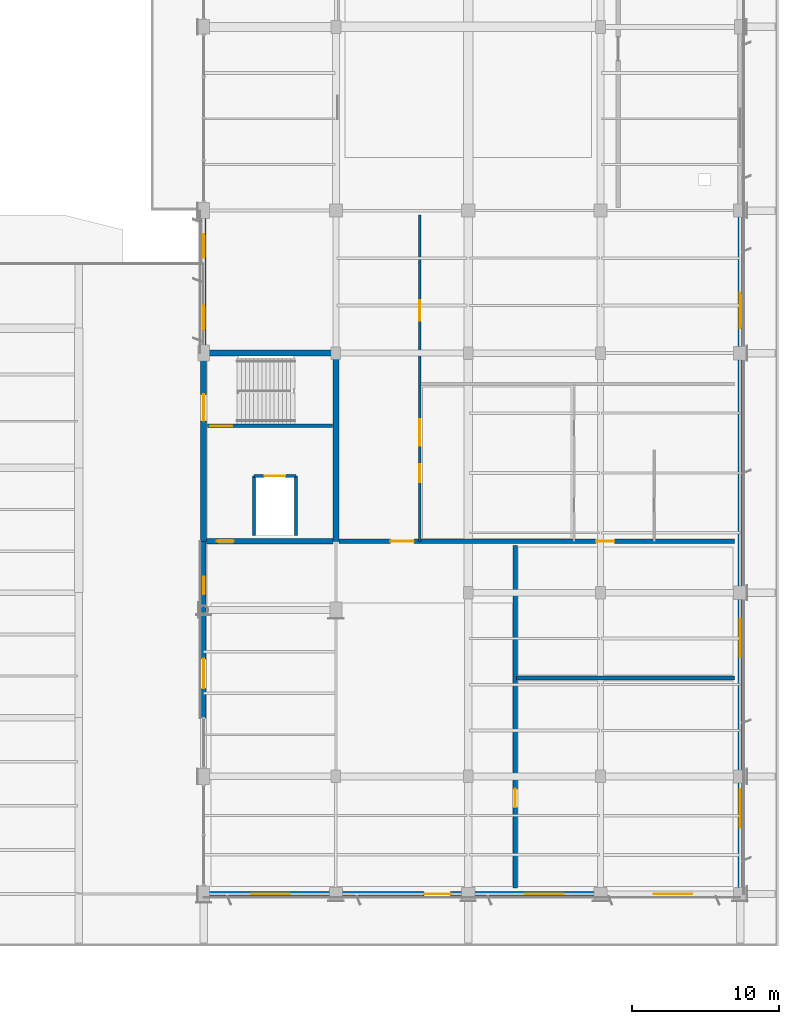
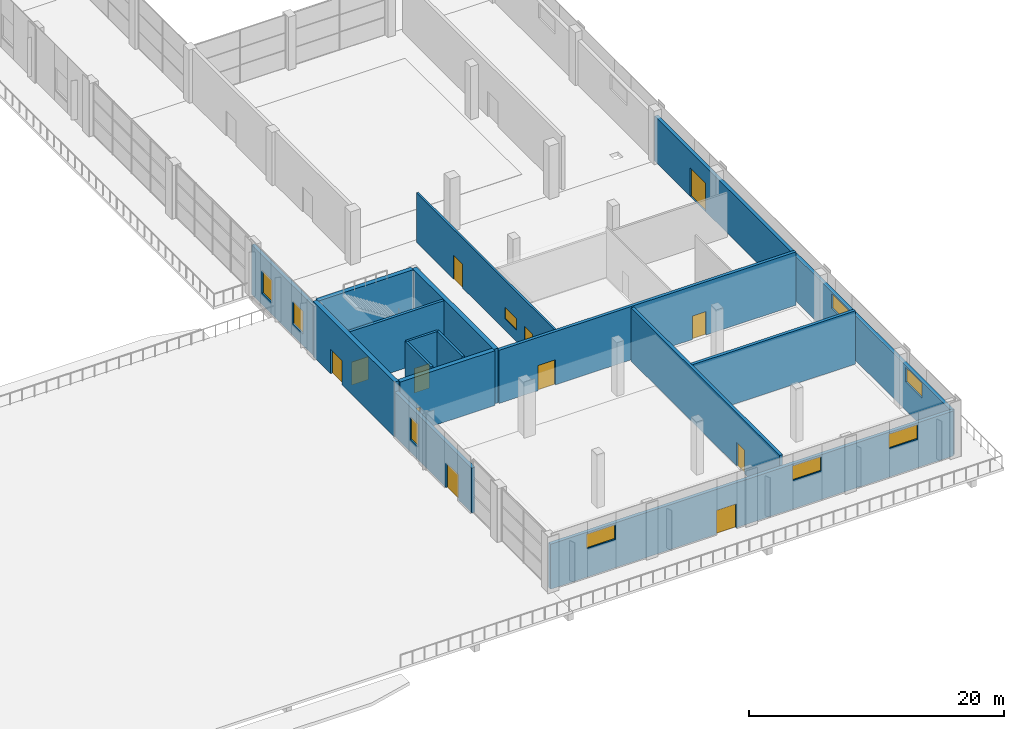
# One storey, part 70 of 90: 16 walls, 12 doors, 9 windows, 21 openings.
"""IFC4 building model written with IfcOpenShell, lengths in metres."""

from ifc_helpers import new_model, si_unit, direction, frame, frame_2d, origin, place, context, subcontext, project, spatial, rectangle, extrude, material, layer, layer_set, type_object, element, fill, save


model = new_model("IFC4")

# Units and contexts
model_context = context("Model", 3, precision=1e-05, world=origin(), true_north=direction((0.0, 1.0)))
body_context = subcontext(model_context, "Body", "Model", "MODEL_VIEW")
ifc_project = project(units=[si_unit("LENGTHUNIT", "METRE"), si_unit("AREAUNIT", "SQUARE_METRE"), si_unit("VOLUMEUNIT", "CUBIC_METRE"), si_unit("PLANEANGLEUNIT", "RADIAN"), si_unit("MASSUNIT", "GRAM", prefix="KILO")], contexts=[model_context])

# Site, building, storey
site_placement = place(None, origin())
site = spatial("IfcSite", under=ifc_project, at=site_placement, CompositionType="ELEMENT")
building_placement = place(site_placement, origin())
building = spatial("IfcBuilding", under=site, at=building_placement, Name="Solvikara Media Centre", CompositionType="ELEMENT")
storey_placement = place(building_placement, origin())
storey = spatial("IfcBuildingStorey", under=building, at=storey_placement, Name="L00", CompositionType="ELEMENT", Elevation=0.0)

# Wall, opening, door
ifc_material_1 = material(Name="Concrete fc' 45 MPa (C45/55)", Category="concrete")
ifc_layer_1 = layer(ifc_material_1, 0.39990234375)
ifc_layer_set_1 = layer_set([ifc_layer_1], Name="Concrete fc' 45 MPa (C45/55)")
wall_type_1 = type_object("IfcWallType", Name="WT-02", PredefinedType="SHEAR", material=ifc_layer_set_1)
wall_1_placement = place(storey_placement, frame((127.5, 24.0, 0.0), z_axis=(0.0, 0.0, 1.0), x_axis=(0.0, 1.0, 0.0)))
wall_1 = element("IfcWall", 1, at=wall_1_placement, inside=storey, type_object=wall_type_1, Name="CW-C4-L00-W", PredefinedType="SHEAR", context=body_context, shape_type="SweptSolid", body=[
    extrude(rectangle(XDim=12.800048828125, YDim=0.39990234375, at=frame_2d((6.39990234375, 0.0))), origin(), (0.0, 0.0, 1.0), 5.239990234375),
])
opening_1_placement = place(wall_1_placement, frame((8.199951171875, 0.0, 0.0)))
opening_1 = element("IfcOpeningElement", 2, at=opening_1_placement, cuts=wall_1, Name="Opening EX-C4", PredefinedType="OPENING", context=body_context, shape_type="SweptSolid", body=[
    extrude(rectangle(XDim=1.800048828125, YDim=2.300048828125, at=frame_2d((0.89990234375, 1.14990234375))), frame((0.0, 0.2119140625, 0.0), z_axis=(0.0, -1.0, 0.0), x_axis=(1.0, 0.0, 0.0)), (0.0, 0.0, 1.0), 0.423828125),
])
ifc_material_2 = material(Name="Insulated fire-rated steel door leaf", Category="steel")
door_type_1 = type_object("IfcDoorType", Name="DT-03", OperationType="DOUBLE_DOOR_SINGLE_SWING", PredefinedType="DOOR", material=ifc_material_2)
door_1_placement = place(opening_1_placement, origin())
door_1 = element("IfcDoor", 3, at=door_1_placement, inside=storey, type_object=door_type_1, Name="EX-C4", OperationType="DOUBLE_DOOR_SINGLE_SWING", OverallHeight=2.300048828125, OverallWidth=1.800048828125, PredefinedType="DOOR", context=body_context, shape_type="SweptSolid", body=[
    extrude(rectangle(XDim=1.800048828125, YDim=2.300048828125, at=frame_2d((0.89990234375, 1.14990234375))), frame((0.0, 0.02490234375, 0.0), z_axis=(0.0, -1.0, 0.0), x_axis=(1.0, 0.0, 0.0)), (0.0, 0.0, 1.0), 0.050048828125),
])
fill(opening_1, door_1)

# Walls
wall_2_placement = place(storey_placement, frame((136.5, 24.0, 0.0), z_axis=(0.0, 0.0, 1.0), x_axis=(0.0, 1.0, 0.0)))
element("IfcWall", 4, at=wall_2_placement, inside=storey, type_object=wall_type_1, Name="CW-C4-L00-E", PredefinedType="SHEAR", context=body_context, shape_type="SweptSolid", body=[
    extrude(rectangle(XDim=12.800048828125, YDim=0.39990234375, at=frame_2d((6.39990234375, 0.0))), origin(), (0.0, 0.0, 1.0), 5.239990234375),
])
wall_3_placement = place(storey_placement, frame((127.699951171875, 36.800048828125, 0.0), z_axis=(0.0, 0.0, 1.0), x_axis=(1.0, 0.0, 0.0)))
element("IfcWall", 5, at=wall_3_placement, inside=storey, type_object=wall_type_1, Name="CW-C4-L00-N", PredefinedType="SHEAR", context=body_context, shape_type="SweptSolid", body=[
    extrude(rectangle(XDim=8.60009765625, YDim=0.39990234375, at=frame_2d((4.300048828125, 0.0))), origin(), (0.0, 0.0, 1.0), 5.239990234375),
])

# Wall, opening, door
wall_4_placement = place(storey_placement, frame((127.699951171875, 24.0, 0.0), z_axis=(0.0, 0.0, 1.0), x_axis=(1.0, 0.0, 0.0)))
wall_4 = element("IfcWall", 6, at=wall_4_placement, inside=storey, type_object=wall_type_1, Name="CW-C4-L00-S", PredefinedType="SHEAR", context=body_context, shape_type="SweptSolid", body=[
    extrude(rectangle(XDim=8.60009765625, YDim=0.39990234375, at=frame_2d((4.300048828125, 0.0))), origin(), (0.0, 0.0, 1.0), 5.239990234375),
])
opening_2_placement = place(wall_4_placement, frame((0.699951171875, 0.0, 0.0)))
opening_2 = element("IfcOpeningElement", 7, at=opening_2_placement, cuts=wall_4, Name="Opening D-C4-L00-LOB", PredefinedType="OPENING", context=body_context, shape_type="SweptSolid", body=[
    extrude(rectangle(XDim=1.14990234375, YDim=2.199951171875, at=frame_2d((0.574951171875, 1.10009765625))), frame((0.0, 0.2119140625, 0.0), z_axis=(0.0, -1.0, 0.0), x_axis=(1.0, 0.0, 0.0)), (0.0, 0.0, 1.0), 0.423828125),
])
door_type_2 = type_object("IfcDoorType", Name="DT-09", OperationType="NOTDEFINED", PredefinedType="DOOR", material=ifc_material_2)
door_2_placement = place(opening_2_placement, frame((1.14990234375, 0.0, 0.0), z_axis=(0.0, 0.0, 1.0), x_axis=(-1.0, 0.0, 0.0)))
door_2 = element("IfcDoor", 8, at=door_2_placement, inside=storey, type_object=door_type_2, Name="D-C4-L00-LOB", OperationType="SINGLE_SWING_RIGHT", OverallHeight=2.199951171875, OverallWidth=1.14990234375, PredefinedType="DOOR", context=body_context, shape_type="SweptSolid", body=[
    extrude(rectangle(XDim=1.14990234375, YDim=2.199951171875, at=frame_2d((0.574951171875, 1.10009765625))), frame((0.0, 0.02490234375, 0.0), z_axis=(0.0, -1.0, 0.0), x_axis=(1.0, 0.0, 0.0)), (0.0, 0.0, 1.0), 0.050048828125),
])
fill(opening_2, door_2)

# Wall, openings, doors
ifc_layer_2 = layer(ifc_material_1, 0.280029296875)
ifc_layer_set_2 = layer_set([ifc_layer_2], Name="Concrete fc' 45 MPa (C45/55)")
wall_type_2 = type_object("IfcWallType", Name="WT-06", PredefinedType="STANDARD", material=ifc_layer_set_2)
wall_5_placement = place(storey_placement, frame((136.699951171875, 24.0, 0.0), z_axis=(0.0, 0.0, 1.0), x_axis=(1.0, 0.0, 0.0)))
wall_5 = element("IfcWall", 9, at=wall_5_placement, inside=storey, type_object=wall_type_2, Name="PW-L00-030", PredefinedType="STANDARD", context=body_context, shape_type="SweptSolid", body=[
    extrude(rectangle(XDim=26.900146484375, YDim=0.280029296875, at=frame_2d((13.4501953125, 0.0))), origin(), (0.0, 0.0, 1.0), 5.10009765625),
])
opening_3_placement = place(wall_5_placement, frame((3.5, 0.0, 0.0)))
opening_3 = element("IfcOpeningElement", 10, at=opening_3_placement, cuts=wall_5, Name="Opening D-L00-030-1", PredefinedType="OPENING", context=body_context, shape_type="SweptSolid", body=[
    extrude(rectangle(XDim=1.60009765625, YDim=2.39990234375, at=frame_2d((0.800048828125, 1.199951171875))), frame((0.0, 0.15185546875, 0.0), z_axis=(0.0, -1.0, 0.0), x_axis=(1.0, 0.0, 0.0)), (0.0, 0.0, 1.0), 0.303955078125),
])
opening_4_placement = place(wall_5_placement, frame((17.5, 0.0, 0.0)))
opening_4 = element("IfcOpeningElement", 11, at=opening_4_placement, cuts=wall_5, Name="Opening D-L00-030-2", PredefinedType="OPENING", context=body_context, shape_type="SweptSolid", body=[
    extrude(rectangle(XDim=1.25, YDim=2.25, at=frame_2d((0.625, 1.125))), frame((0.0, 0.15185546875, 0.0), z_axis=(0.0, -1.0, 0.0), x_axis=(1.0, 0.0, 0.0)), (0.0, 0.0, 1.0), 0.303955078125),
])
ifc_material_3 = material(Name="Solid core acoustic hardwood timber", Category="wood")
door_type_3 = type_object("IfcDoorType", Name="DT-13", OperationType="DOUBLE_DOOR_SINGLE_SWING", PredefinedType="DOOR", material=ifc_material_3)
door_3_placement = place(opening_3_placement, origin())
door_3 = element("IfcDoor", 12, at=door_3_placement, inside=storey, type_object=door_type_3, Name="D-L00-030-1", OperationType="DOUBLE_DOOR_SINGLE_SWING", OverallHeight=2.39990234375, OverallWidth=1.60009765625, PredefinedType="DOOR", context=body_context, shape_type="SweptSolid", body=[
    extrude(rectangle(XDim=1.60009765625, YDim=2.39990234375, at=frame_2d((0.800048828125, 1.199951171875))), frame((0.0, 0.02490234375, 0.0), z_axis=(0.0, -1.0, 0.0), x_axis=(1.0, 0.0, 0.0)), (0.0, 0.0, 1.0), 0.050048828125),
])
fill(opening_3, door_3)
door_type_4 = type_object("IfcDoorType", Name="DT-15", OperationType="NOTDEFINED", PredefinedType="DOOR", material=ifc_material_3)
door_4_placement = place(opening_4_placement, origin())
door_4 = element("IfcDoor", 13, at=door_4_placement, inside=storey, type_object=door_type_4, Name="D-L00-030-2", OperationType="SINGLE_SWING_LEFT", OverallHeight=2.25, OverallWidth=1.25, PredefinedType="DOOR", context=body_context, shape_type="SweptSolid", body=[
    extrude(rectangle(XDim=1.25, YDim=2.25, at=frame_2d((0.625, 1.125))), frame((0.0, 0.02490234375, 0.0), z_axis=(0.0, -1.0, 0.0), x_axis=(1.0, 0.0, 0.0)), (0.0, 0.0, 1.0), 0.050048828125),
])
fill(opening_4, door_4)

# Wall, opening, door
wall_6_placement = place(storey_placement, frame((148.699951171875, 0.39990234375, 0.0), z_axis=(0.0, 0.0, 1.0), x_axis=(0.0, 1.0, 0.0)))
wall_6 = element("IfcWall", 14, at=wall_6_placement, inside=storey, type_object=wall_type_2, Name="PW-L00-031", PredefinedType="STANDARD", context=body_context, shape_type="SweptSolid", body=[
    extrude(rectangle(XDim=23.300048828125, YDim=0.280029296875, at=frame_2d((11.64990234375, 0.0))), origin(), (0.0, 0.0, 1.0), 5.10009765625),
])
opening_5_placement = place(wall_6_placement, frame((5.5, 0.0, 0.0)))
opening_5 = element("IfcOpeningElement", 15, at=opening_5_placement, cuts=wall_6, Name="Opening D-L00-031-1", PredefinedType="OPENING", context=body_context, shape_type="SweptSolid", body=[
    extrude(rectangle(XDim=1.25, YDim=2.25, at=frame_2d((0.625, 1.125))), frame((0.0, 0.15185546875, 0.0), z_axis=(0.0, -1.0, 0.0), x_axis=(1.0, 0.0, 0.0)), (0.0, 0.0, 1.0), 0.303955078125),
])
door_5_placement = place(opening_5_placement, origin())
door_5 = element("IfcDoor", 16, at=door_5_placement, inside=storey, type_object=door_type_4, Name="D-L00-031-1", OperationType="SINGLE_SWING_RIGHT", OverallHeight=2.25, OverallWidth=1.25, PredefinedType="DOOR", context=body_context, shape_type="SweptSolid", body=[
    extrude(rectangle(XDim=1.25, YDim=2.25, at=frame_2d((0.625, 1.125))), frame((0.0, 0.02490234375, 0.0), z_axis=(0.0, -1.0, 0.0), x_axis=(1.0, 0.0, 0.0)), (0.0, 0.0, 1.0), 0.050048828125),
])
fill(opening_5, door_5)

# Wall
wall_7_placement = place(storey_placement, frame((148.800048828125, 14.699951171875, 0.0), z_axis=(0.0, 0.0, 1.0), x_axis=(1.0, 0.0, 0.0)))
element("IfcWall", 17, at=wall_7_placement, inside=storey, type_object=wall_type_2, Name="PW-L00-032", PredefinedType="STANDARD", context=body_context, shape_type="SweptSolid", body=[
    extrude(rectangle(XDim=14.800048828125, YDim=0.280029296875, at=frame_2d((7.39990234375, 0.0))), origin(), (0.0, 0.0, 1.0), 5.10009765625),
])

# Wall, opening, door
ifc_layer_3 = layer(ifc_material_1, 0.25)
ifc_layer_set_3 = layer_set([ifc_layer_3], Name="Concrete fc' 45 MPa (C45/55)")
wall_type_3 = type_object("IfcWallType", Name="WT-07", PredefinedType="STANDARD", material=ifc_layer_set_3)
wall_8_placement = place(storey_placement, frame((127.75, 31.85009765625, 0.0), z_axis=(0.0, 0.0, 1.0), x_axis=(1.0, 0.0, 0.0)))
wall_8 = element("IfcWall", 18, at=wall_8_placement, inside=storey, type_object=wall_type_3, Name="CW-C4-L00-SD", PredefinedType="STANDARD", context=body_context, shape_type="SweptSolid", body=[
    extrude(rectangle(XDim=8.5, YDim=0.25, at=frame_2d((4.25, 0.0))), origin(), (0.0, 0.0, 1.0), 5.239990234375),
])
opening_6_placement = place(wall_8_placement, frame((0.199951171875, 0.0, 0.0)))
opening_6 = element("IfcOpeningElement", 19, at=opening_6_placement, cuts=wall_8, Name="Opening D-C4-L00-ST", PredefinedType="OPENING", context=body_context, shape_type="SweptSolid", body=[
    extrude(rectangle(XDim=1.5, YDim=2.199951171875, at=frame_2d((0.75, 1.10009765625))), frame((0.0, 0.136962890625, 0.0), z_axis=(0.0, -1.0, 0.0), x_axis=(1.0, 0.0, 0.0)), (0.0, 0.0, 1.0), 0.27392578125),
])
door_type_5 = type_object("IfcDoorType", Name="DT-08", OperationType="DOUBLE_DOOR_SINGLE_SWING", PredefinedType="DOOR", material=ifc_material_2)
door_6_placement = place(opening_6_placement, frame((1.5, 0.0, 0.0), z_axis=(0.0, 0.0, 1.0), x_axis=(-1.0, 0.0, 0.0)))
door_6 = element("IfcDoor", 20, at=door_6_placement, inside=storey, type_object=door_type_5, Name="D-C4-L00-ST", OperationType="DOUBLE_DOOR_SINGLE_SWING", OverallHeight=2.199951171875, OverallWidth=1.5, PredefinedType="DOOR", context=body_context, shape_type="SweptSolid", body=[
    extrude(rectangle(XDim=1.5, YDim=2.199951171875, at=frame_2d((0.75, 1.10009765625))), frame((0.0, 0.02490234375, 0.0), z_axis=(0.0, -1.0, 0.0), x_axis=(1.0, 0.0, 0.0)), (0.0, 0.0, 1.0), 0.050048828125),
])
fill(opening_6, door_6)

# Wall, openings, door, window
ifc_material_4 = material(Name="Precast concrete fc' 40 MPa (C40/50)", Category="concrete")
ifc_layer_4 = layer(ifc_material_4, 0.31005859375)
ifc_layer_set_4 = layer_set([ifc_layer_4], Name="Precast concrete fc' 40 MPa (C40/50)")
wall_type_4 = type_object("IfcWallType", Name="WT-10", PredefinedType="STANDARD", material=ifc_layer_set_4)
wall_9_placement = place(storey_placement, frame((127.5, 11.9599609375, 0.0), z_axis=(0.0, 0.0, 1.0), x_axis=(0.0, 1.0, 0.0)))
wall_9 = element("IfcWall", 21, at=wall_9_placement, inside=storey, type_object=wall_type_4, Name="EW-L00-V5-W", PredefinedType="STANDARD", context=body_context, shape_type="SweptSolid", body=[
    extrude(rectangle(XDim=12.0400390625, YDim=0.31005859375, at=frame_2d((6.02001953125, 0.0))), origin(), (0.0, 0.0, 1.0), 4.300048828125),
])
opening_7_placement = place(wall_9_placement, frame((2.0400390625, 0.0, 0.0)))
opening_7 = element("IfcOpeningElement", 22, at=opening_7_placement, cuts=wall_9, Name="Opening EX-12", PredefinedType="OPENING", context=body_context, shape_type="SweptSolid", body=[
    extrude(rectangle(XDim=2.0, YDim=2.39990234375, at=frame_2d((1.0, 1.199951171875))), frame((0.0, 0.1669921875, 0.0), z_axis=(0.0, -1.0, 0.0), x_axis=(1.0, 0.0, 0.0)), (0.0, 0.0, 1.0), 0.333984375),
])
opening_8_placement = place(wall_9_placement, frame((8.429931640625, 0.0, 1.199951171875)))
opening_8 = element("IfcOpeningElement", 23, at=opening_8_placement, cuts=wall_9, Name="Opening W-L00-V5W-W02", PredefinedType="OPENING", context=body_context, shape_type="SweptSolid", body=[
    extrude(rectangle(XDim=1.199951171875, YDim=2.199951171875, at=frame_2d((0.60009765625, 1.10009765625))), frame((0.0, 0.1669921875, 0.0), z_axis=(0.0, -1.0, 0.0), x_axis=(1.0, 0.0, 0.0)), (0.0, 0.0, 1.0), 0.333984375),
])
ifc_material_5 = material(Name="Anodised aluminium EN AW-6063", Category="aluminium")
door_type_6 = type_object("IfcDoorType", Name="DT-01", OperationType="DOUBLE_DOOR_SINGLE_SWING", PredefinedType="DOOR", material=ifc_material_5)
door_7_placement = place(opening_7_placement, origin())
door_7 = element("IfcDoor", 24, at=door_7_placement, inside=storey, type_object=door_type_6, Name="EX-12", OperationType="DOUBLE_DOOR_SINGLE_SWING", OverallHeight=2.39990234375, OverallWidth=2.0, PredefinedType="DOOR", context=body_context, shape_type="SweptSolid", body=[
    extrude(rectangle(XDim=2.0, YDim=2.39990234375, at=frame_2d((1.0, 1.199951171875))), frame((0.0, 0.02490234375, 0.0), z_axis=(0.0, -1.0, 0.0), x_axis=(1.0, 0.0, 0.0)), (0.0, 0.0, 1.0), 0.050048828125),
])
fill(opening_7, door_7)
ifc_material_6 = material(Name="Double-glazed low-E architectural glass", Category="glass")
window_type_1 = type_object("IfcWindowType", Name="WN-06", PartitioningType="SINGLE_PANEL", PredefinedType="WINDOW", material=ifc_material_6)
window_1_placement = place(opening_8_placement, origin())
window_1 = element("IfcWindow", 25, at=window_1_placement, inside=storey, type_object=window_type_1, Name="W-L00-V5W-W02", OverallHeight=2.199951171875, OverallWidth=1.199951171875, PartitioningType="SINGLE_PANEL", PredefinedType="WINDOW", context=body_context, shape_type="SweptSolid", body=[
    extrude(rectangle(XDim=1.199951171875, YDim=2.199951171875, at=frame_2d((0.60009765625, 1.10009765625))), frame((0.0, 0.030029296875, 0.0), z_axis=(0.0, -1.0, 0.0), x_axis=(1.0, 0.0, 0.0)), (0.0, 0.0, 1.0), 0.06005859375),
])
fill(opening_8, window_1)

# Wall, openings, windows
wall_10_placement = place(storey_placement, frame((127.5, 36.800048828125, 0.0), z_axis=(0.0, 0.0, 1.0), x_axis=(0.0, 1.0, 0.0)))
wall_10 = element("IfcWall", 26, at=wall_10_placement, inside=storey, type_object=wall_type_4, Name="EW-L00-V5-WN", PredefinedType="STANDARD", context=body_context, shape_type="SweptSolid", body=[
    extrude(rectangle(XDim=9.699951171875, YDim=0.31005859375, at=frame_2d((4.85009765625, 0.0))), origin(), (0.0, 0.0, 1.0), 4.748046875),
])
opening_9_placement = place(wall_10_placement, frame((1.625, 0.0, 1.10009765625)))
opening_9 = element("IfcOpeningElement", 27, at=opening_9_placement, cuts=wall_10, Name="Opening W-L00-V5WN-W01", PredefinedType="OPENING", context=body_context, shape_type="SweptSolid", body=[
    extrude(rectangle(XDim=1.60009765625, YDim=2.199951171875, at=frame_2d((0.800048828125, 1.10009765625))), frame((0.0, 0.1669921875, 0.0), z_axis=(0.0, -1.0, 0.0), x_axis=(1.0, 0.0, 0.0)), (0.0, 0.0, 1.0), 0.333984375),
])
opening_10_placement = place(wall_10_placement, frame((6.47509765625, 0.0, 1.10009765625)))
opening_10 = element("IfcOpeningElement", 28, at=opening_10_placement, cuts=wall_10, Name="Opening W-L00-V5WN-W02", PredefinedType="OPENING", context=body_context, shape_type="SweptSolid", body=[
    extrude(rectangle(XDim=1.60009765625, YDim=2.199951171875, at=frame_2d((0.800048828125, 1.10009765625))), frame((0.0, 0.1669921875, 0.0), z_axis=(0.0, -1.0, 0.0), x_axis=(1.0, 0.0, 0.0)), (0.0, 0.0, 1.0), 0.333984375),
])
window_type_2 = type_object("IfcWindowType", Name="WN-07", PartitioningType="SINGLE_PANEL", PredefinedType="WINDOW", material=ifc_material_6)
window_2_placement = place(opening_9_placement, origin())
window_2 = element("IfcWindow", 29, at=window_2_placement, inside=storey, type_object=window_type_2, Name="W-L00-V5WN-W01", OverallHeight=2.199951171875, OverallWidth=1.60009765625, PartitioningType="SINGLE_PANEL", PredefinedType="WINDOW", context=body_context, shape_type="SweptSolid", body=[
    extrude(rectangle(XDim=1.60009765625, YDim=2.199951171875, at=frame_2d((0.800048828125, 1.10009765625))), frame((0.0, 0.030029296875, 0.0), z_axis=(0.0, -1.0, 0.0), x_axis=(1.0, 0.0, 0.0)), (0.0, 0.0, 1.0), 0.06005859375),
])
fill(opening_9, window_2)
window_3_placement = place(opening_10_placement, origin())
window_3 = element("IfcWindow", 30, at=window_3_placement, inside=storey, type_object=window_type_2, Name="W-L00-V5WN-W02", OverallHeight=2.199951171875, OverallWidth=1.60009765625, PartitioningType="SINGLE_PANEL", PredefinedType="WINDOW", context=body_context, shape_type="SweptSolid", body=[
    extrude(rectangle(XDim=1.60009765625, YDim=2.199951171875, at=frame_2d((0.800048828125, 1.10009765625))), frame((0.0, 0.030029296875, 0.0), z_axis=(0.0, -1.0, 0.0), x_axis=(1.0, 0.0, 0.0)), (0.0, 0.0, 1.0), 0.06005859375),
])
fill(opening_10, window_3)

# Wall, openings, door, windows
wall_11_placement = place(storey_placement, frame((127.5, 0.0, 0.0), z_axis=(0.0, 0.0, 1.0), x_axis=(1.0, 0.0, 0.0)))
wall_11 = element("IfcWall", 31, at=wall_11_placement, inside=storey, type_object=wall_type_4, Name="EW-L00-V5-S", PredefinedType="STANDARD", context=body_context, shape_type="SweptSolid", body=[
    extrude(rectangle(XDim=36.5, YDim=0.31005859375, at=frame_2d((18.25, 0.0))), origin(), (0.0, 0.0, 1.0), 4.300048828125),
])
opening_11_placement = place(wall_11_placement, frame((15.0, 0.0, 0.0)))
opening_11 = element("IfcOpeningElement", 32, at=opening_11_placement, cuts=wall_11, Name="Opening EX-13", PredefinedType="OPENING", context=body_context, shape_type="SweptSolid", body=[
    extrude(rectangle(XDim=1.800048828125, YDim=2.300048828125, at=frame_2d((0.89990234375, 1.14990234375))), frame((0.0, 0.1669921875, 0.0), z_axis=(0.0, -1.0, 0.0), x_axis=(1.0, 0.0, 0.0)), (0.0, 0.0, 1.0), 0.333984375),
])
opening_12_placement = place(wall_11_placement, frame((3.262939453125, 0.0, 2.739990234375)))
opening_12 = element("IfcOpeningElement", 33, at=opening_12_placement, cuts=wall_11, Name="Opening W-L00-V5S-W01", PredefinedType="OPENING", context=body_context, shape_type="SweptSolid", body=[
    extrude(rectangle(XDim=2.60009765625, YDim=1.39990234375, at=frame_2d((1.300048828125, 0.699951171875))), frame((0.0, 0.1669921875, 0.0), z_axis=(0.0, -1.0, 0.0), x_axis=(1.0, 0.0, 0.0)), (0.0, 0.0, 1.0), 0.333984375),
])
opening_13_placement = place(wall_11_placement, frame((21.89208984375, 0.0, 2.739990234375)))
opening_13 = element("IfcOpeningElement", 34, at=opening_13_placement, cuts=wall_11, Name="Opening W-L00-V5S-W03", PredefinedType="OPENING", context=body_context, shape_type="SweptSolid", body=[
    extrude(rectangle(XDim=2.60009765625, YDim=1.39990234375, at=frame_2d((1.300048828125, 0.699951171875))), frame((0.0, 0.1669921875, 0.0), z_axis=(0.0, -1.0, 0.0), x_axis=(1.0, 0.0, 0.0)), (0.0, 0.0, 1.0), 0.333984375),
])
opening_14_placement = place(wall_11_placement, frame((30.636962890625, 0.0, 2.739990234375)))
opening_14 = element("IfcOpeningElement", 35, at=opening_14_placement, cuts=wall_11, Name="Opening W-L00-V5S-W04", PredefinedType="OPENING", context=body_context, shape_type="SweptSolid", body=[
    extrude(rectangle(XDim=2.60009765625, YDim=1.39990234375, at=frame_2d((1.300048828125, 0.699951171875))), frame((0.0, 0.1669921875, 0.0), z_axis=(0.0, -1.0, 0.0), x_axis=(1.0, 0.0, 0.0)), (0.0, 0.0, 1.0), 0.333984375),
])
door_8_placement = place(opening_11_placement, frame((1.800048828125, 0.0, 0.0), z_axis=(0.0, 0.0, 1.0), x_axis=(-1.0, 0.0, 0.0)))
door_8 = element("IfcDoor", 36, at=door_8_placement, inside=storey, type_object=door_type_1, Name="EX-13", OperationType="DOUBLE_DOOR_SINGLE_SWING", OverallHeight=2.300048828125, OverallWidth=1.800048828125, PredefinedType="DOOR", context=body_context, shape_type="SweptSolid", body=[
    extrude(rectangle(XDim=1.800048828125, YDim=2.300048828125, at=frame_2d((0.89990234375, 1.14990234375))), frame((0.0, 0.02490234375, 0.0), z_axis=(0.0, -1.0, 0.0), x_axis=(1.0, 0.0, 0.0)), (0.0, 0.0, 1.0), 0.050048828125),
])
fill(opening_11, door_8)
window_type_3 = type_object("IfcWindowType", Name="WN-09", PartitioningType="SINGLE_PANEL", PredefinedType="WINDOW", material=ifc_material_6)
window_4_placement = place(opening_12_placement, origin())
window_4 = element("IfcWindow", 37, at=window_4_placement, inside=storey, type_object=window_type_3, Name="W-L00-V5S-W01", OverallHeight=1.39990234375, OverallWidth=2.60009765625, PartitioningType="SINGLE_PANEL", PredefinedType="WINDOW", context=body_context, shape_type="SweptSolid", body=[
    extrude(rectangle(XDim=2.60009765625, YDim=1.39990234375, at=frame_2d((1.300048828125, 0.699951171875))), frame((0.0, 0.030029296875, 0.0), z_axis=(0.0, -1.0, 0.0), x_axis=(1.0, 0.0, 0.0)), (0.0, 0.0, 1.0), 0.06005859375),
])
fill(opening_12, window_4)
window_5_placement = place(opening_13_placement, origin())
window_5 = element("IfcWindow", 38, at=window_5_placement, inside=storey, type_object=window_type_3, Name="W-L00-V5S-W03", OverallHeight=1.39990234375, OverallWidth=2.60009765625, PartitioningType="SINGLE_PANEL", PredefinedType="WINDOW", context=body_context, shape_type="SweptSolid", body=[
    extrude(rectangle(XDim=2.60009765625, YDim=1.39990234375, at=frame_2d((1.300048828125, 0.699951171875))), frame((0.0, 0.030029296875, 0.0), z_axis=(0.0, -1.0, 0.0), x_axis=(1.0, 0.0, 0.0)), (0.0, 0.0, 1.0), 0.06005859375),
])
fill(opening_13, window_5)
window_6_placement = place(opening_14_placement, origin())
window_6 = element("IfcWindow", 39, at=window_6_placement, inside=storey, type_object=window_type_3, Name="W-L00-V5S-W04", OverallHeight=1.39990234375, OverallWidth=2.60009765625, PartitioningType="SINGLE_PANEL", PredefinedType="WINDOW", context=body_context, shape_type="SweptSolid", body=[
    extrude(rectangle(XDim=2.60009765625, YDim=1.39990234375, at=frame_2d((1.300048828125, 0.699951171875))), frame((0.0, 0.030029296875, 0.0), z_axis=(0.0, -1.0, 0.0), x_axis=(1.0, 0.0, 0.0)), (0.0, 0.0, 1.0), 0.06005859375),
])
fill(opening_14, window_6)

wall_12_placement = place(storey_placement, frame((164.0, 0.0, 0.0), z_axis=(0.0, 0.0, 1.0), x_axis=(0.0, 1.0, 0.0)))
wall_12 = element("IfcWall", 40, at=wall_12_placement, inside=storey, type_object=wall_type_4, Name="EW-L00-V5-E", PredefinedType="STANDARD", context=body_context, shape_type="SweptSolid", body=[
    extrude(rectangle(XDim=46.5, YDim=0.31005859375, at=frame_2d((23.25, 0.0))), origin(), (0.0, 0.0, 1.0), 4.300048828125),
])
opening_15_placement = place(wall_12_placement, frame((38.5, 0.0, 0.0)))
opening_15 = element("IfcOpeningElement", 41, at=opening_15_placement, cuts=wall_12, Name="Opening D-DOCK-01", PredefinedType="OPENING", context=body_context, shape_type="SweptSolid", body=[
    extrude(rectangle(XDim=2.39990234375, YDim=2.699951171875, at=frame_2d((1.199951171875, 1.35009765625))), frame((0.0, 0.1669921875, 0.0), z_axis=(0.0, -1.0, 0.0), x_axis=(1.0, 0.0, 0.0)), (0.0, 0.0, 1.0), 0.333984375),
])
opening_16_placement = place(wall_12_placement, frame((4.512939453125, 0.0, 2.739990234375)))
opening_16 = element("IfcOpeningElement", 42, at=opening_16_placement, cuts=wall_12, Name="Opening W-L00-V5E-W01", PredefinedType="OPENING", context=body_context, shape_type="SweptSolid", body=[
    extrude(rectangle(XDim=2.60009765625, YDim=1.39990234375, at=frame_2d((1.300048828125, 0.699951171875))), frame((0.0, 0.1669921875, 0.0), z_axis=(0.0, -1.0, 0.0), x_axis=(1.0, 0.0, 0.0)), (0.0, 0.0, 1.0), 0.333984375),
])
opening_17_placement = place(wall_12_placement, frame((16.136962890625, 0.0, 2.739990234375)))
opening_17 = element("IfcOpeningElement", 43, at=opening_17_placement, cuts=wall_12, Name="Opening W-L00-V5E-W02", PredefinedType="OPENING", context=body_context, shape_type="SweptSolid", body=[
    extrude(rectangle(XDim=2.60009765625, YDim=1.39990234375, at=frame_2d((1.300048828125, 0.699951171875))), frame((0.0, 0.1669921875, 0.0), z_axis=(0.0, -1.0, 0.0), x_axis=(1.0, 0.0, 0.0)), (0.0, 0.0, 1.0), 0.333984375),
])
door_type_7 = type_object("IfcDoorType", Name="DT-07", OperationType="DOUBLE_DOOR_SINGLE_SWING", PredefinedType="DOOR", material=ifc_material_2)
door_9_placement = place(opening_15_placement, frame((2.39990234375, 0.0, 0.0), z_axis=(0.0, 0.0, 1.0), x_axis=(-1.0, 0.0, 0.0)))
door_9 = element("IfcDoor", 44, at=door_9_placement, inside=storey, type_object=door_type_7, Name="D-DOCK-01", OperationType="DOUBLE_DOOR_SINGLE_SWING", OverallHeight=2.699951171875, OverallWidth=2.39990234375, PredefinedType="DOOR", context=body_context, shape_type="SweptSolid", body=[
    extrude(rectangle(XDim=2.39990234375, YDim=2.699951171875, at=frame_2d((1.199951171875, 1.35009765625))), frame((0.0, 0.02490234375, 0.0), z_axis=(0.0, -1.0, 0.0), x_axis=(1.0, 0.0, 0.0)), (0.0, 0.0, 1.0), 0.050048828125),
])
fill(opening_15, door_9)
window_7_placement = place(opening_16_placement, origin())
window_7 = element("IfcWindow", 45, at=window_7_placement, inside=storey, type_object=window_type_3, Name="W-L00-V5E-W01", OverallHeight=1.39990234375, OverallWidth=2.60009765625, PartitioningType="SINGLE_PANEL", PredefinedType="WINDOW", context=body_context, shape_type="SweptSolid", body=[
    extrude(rectangle(XDim=2.60009765625, YDim=1.39990234375, at=frame_2d((1.300048828125, 0.699951171875))), frame((0.0, 0.030029296875, 0.0), z_axis=(0.0, -1.0, 0.0), x_axis=(1.0, 0.0, 0.0)), (0.0, 0.0, 1.0), 0.06005859375),
])
fill(opening_16, window_7)
window_8_placement = place(opening_17_placement, origin())
window_8 = element("IfcWindow", 46, at=window_8_placement, inside=storey, type_object=window_type_3, Name="W-L00-V5E-W02", OverallHeight=1.39990234375, OverallWidth=2.60009765625, PartitioningType="SINGLE_PANEL", PredefinedType="WINDOW", context=body_context, shape_type="SweptSolid", body=[
    extrude(rectangle(XDim=2.60009765625, YDim=1.39990234375, at=frame_2d((1.300048828125, 0.699951171875))), frame((0.0, 0.030029296875, 0.0), z_axis=(0.0, -1.0, 0.0), x_axis=(1.0, 0.0, 0.0)), (0.0, 0.0, 1.0), 0.06005859375),
])
fill(opening_17, window_8)

# Walls
ifc_material_7 = material(Name="Fire-rated gypsum and mineral-wool shaft wall assembly")
ifc_layer_5 = layer(ifc_material_7, 0.2099609375)
ifc_layer_set_5 = layer_set([ifc_layer_5], Name="Fire-rated gypsum and mineral-wool shaft wall assembly")
wall_type_5 = type_object("IfcWallType", Name="WT-17", PredefinedType="PARTITIONING", material=ifc_layer_set_5)
for number, where, z_axis, x_axis, name in (
    (47, (130.929931640625, 24.39990234375, 0.0), (0.0, 0.0, 1.0), (0.0, 1.0, 0.0), "LW-LF-G1-L00-W"),
    (48, (133.77001953125, 24.39990234375, 0.0), (0.0, 0.0, 1.0), (0.0, 1.0, 0.0), "LW-LF-G1-L00-E"),
):
    element("IfcWall", number, at=place(storey_placement, frame(where, z_axis=z_axis, x_axis=x_axis)), inside=storey, type_object=wall_type_5, Name=name, PredefinedType="PARTITIONING", context=body_context, shape_type="SweptSolid", body=[
        extrude(rectangle(XDim=4.050048828125, YDim=0.2099609375, at=frame_2d((2.02490234375, 0.0))), origin(), (0.0, 0.0, 1.0), 5.239990234375),
    ])

# Wall, opening, door
wall_13_placement = place(storey_placement, frame((130.929931640625, 28.449951171875, 0.0), z_axis=(0.0, 0.0, 1.0), x_axis=(1.0, 0.0, 0.0)))
wall_13 = element("IfcWall", 49, at=wall_13_placement, inside=storey, type_object=wall_type_5, Name="LW-LF-G1-L00-N", PredefinedType="PARTITIONING", context=body_context, shape_type="SweptSolid", body=[
    extrude(rectangle(XDim=2.840087890625, YDim=0.2099609375, at=frame_2d((1.419921875, 0.0))), origin(), (0.0, 0.0, 1.0), 5.239990234375),
])
opening_18_placement = place(wall_13_placement, frame((0.719970703125, 0.0, 0.0)))
opening_18 = element("IfcOpeningElement", 50, at=opening_18_placement, cuts=wall_13, Name="Opening LD-LF-G1-L00", PredefinedType="OPENING", context=body_context, shape_type="SweptSolid", body=[
    extrude(rectangle(XDim=1.39990234375, YDim=2.35009765625, at=frame_2d((0.699951171875, 1.175048828125))), frame((0.0, 0.116943359375, 0.0), z_axis=(0.0, -1.0, 0.0), x_axis=(1.0, 0.0, 0.0)), (0.0, 0.0, 1.0), 0.23388671875),
])
door_type_8 = type_object("IfcDoorType", Name="LD-03", OperationType="DOUBLE_DOOR_SLIDING", PredefinedType="DOOR", material=ifc_material_2)
door_10_placement = place(opening_18_placement, origin())
door_10 = element("IfcDoor", 51, at=door_10_placement, inside=storey, type_object=door_type_8, Name="LD-LF-G1-L00", OperationType="DOUBLE_DOOR_SLIDING", OverallHeight=2.35009765625, OverallWidth=1.39990234375, PredefinedType="DOOR", context=body_context, shape_type="SweptSolid", body=[
    extrude(rectangle(XDim=1.39990234375, YDim=2.35009765625, at=frame_2d((0.699951171875, 1.175048828125))), frame((0.0, 0.02490234375, 0.0), z_axis=(0.0, -1.0, 0.0), x_axis=(1.0, 0.0, 0.0)), (0.0, 0.0, 1.0), 0.050048828125),
])
fill(opening_18, door_10)

# Wall, openings, doors, window
ifc_layer_6 = layer(ifc_material_7, 0.179931640625)
ifc_layer_set_6 = layer_set([ifc_layer_6], Name="Fire-rated gypsum and mineral-wool shaft wall assembly")
wall_type_6 = type_object("IfcWallType", Name="WT-18", PredefinedType="PARTITIONING", material=ifc_layer_set_6)
wall_14_placement = place(storey_placement, frame((142.199951171875, 24.0, 0.0), z_axis=(0.0, 0.0, 1.0), x_axis=(0.0, 1.0, 0.0)))
wall_14 = element("IfcWall", 52, at=wall_14_placement, inside=storey, type_object=wall_type_6, Name="PW-L00-033", PredefinedType="PARTITIONING", context=body_context, shape_type="SweptSolid", body=[
    extrude(rectangle(XDim=22.199951171875, YDim=0.179931640625, at=frame_2d((11.10009765625, 0.0))), origin(), (0.0, 0.0, 1.0), 4.748046875),
])
opening_19_placement = place(wall_14_placement, frame((4.0, 0.0, 0.0)))
opening_19 = element("IfcOpeningElement", 53, at=opening_19_placement, cuts=wall_14, Name="Opening D-L00-033-1", PredefinedType="OPENING", context=body_context, shape_type="SweptSolid", body=[
    extrude(rectangle(XDim=1.25, YDim=2.25, at=frame_2d((0.625, 1.125))), frame((0.0, 0.10205078125, 0.0), z_axis=(0.0, -1.0, 0.0), x_axis=(1.0, 0.0, 0.0)), (0.0, 0.0, 1.0), 0.203857421875),
])
opening_20_placement = place(wall_14_placement, frame((15.0, 0.0, 0.0)))
opening_20 = element("IfcOpeningElement", 54, at=opening_20_placement, cuts=wall_14, Name="Opening D-L00-033-2", PredefinedType="OPENING", context=body_context, shape_type="SweptSolid", body=[
    extrude(rectangle(XDim=1.39990234375, YDim=2.300048828125, at=frame_2d((0.699951171875, 1.14990234375))), frame((0.0, 0.10205078125, 0.0), z_axis=(0.0, -1.0, 0.0), x_axis=(1.0, 0.0, 0.0)), (0.0, 0.0, 1.0), 0.203857421875),
])
opening_21_placement = place(wall_14_placement, frame((6.5, 0.0, 1.10009765625)))
opening_21 = element("IfcOpeningElement", 55, at=opening_21_placement, cuts=wall_14, Name="Opening WI-L00-033-1", PredefinedType="OPENING", context=body_context, shape_type="SweptSolid", body=[
    extrude(rectangle(XDim=1.800048828125, YDim=1.10009765625, at=frame_2d((0.89990234375, 0.550048828125))), frame((0.0, 0.10205078125, 0.0), z_axis=(0.0, -1.0, 0.0), x_axis=(1.0, 0.0, 0.0)), (0.0, 0.0, 1.0), 0.203857421875),
])
door_type_9 = type_object("IfcDoorType", Name="DT-14", OperationType="DOUBLE_DOOR_SINGLE_SWING", PredefinedType="DOOR", material=ifc_material_2)
door_11_placement = place(opening_20_placement, origin())
door_11 = element("IfcDoor", 56, at=door_11_placement, inside=storey, type_object=door_type_9, Name="D-L00-033-2", OperationType="DOUBLE_DOOR_SINGLE_SWING", OverallHeight=2.300048828125, OverallWidth=1.39990234375, PredefinedType="DOOR", context=body_context, shape_type="SweptSolid", body=[
    extrude(rectangle(XDim=1.39990234375, YDim=2.300048828125, at=frame_2d((0.699951171875, 1.14990234375))), frame((0.0, 0.02490234375, 0.0), z_axis=(0.0, -1.0, 0.0), x_axis=(1.0, 0.0, 0.0)), (0.0, 0.0, 1.0), 0.050048828125),
])
fill(opening_20, door_11)
door_12_placement = place(opening_19_placement, origin())
door_12 = element("IfcDoor", 57, at=door_12_placement, inside=storey, type_object=door_type_4, Name="D-L00-033-1", OperationType="SINGLE_SWING_LEFT", OverallHeight=2.25, OverallWidth=1.25, PredefinedType="DOOR", context=body_context, shape_type="SweptSolid", body=[
    extrude(rectangle(XDim=1.25, YDim=2.25, at=frame_2d((0.625, 1.125))), frame((0.0, 0.02490234375, 0.0), z_axis=(0.0, -1.0, 0.0), x_axis=(1.0, 0.0, 0.0)), (0.0, 0.0, 1.0), 0.050048828125),
])
fill(opening_19, door_12)
window_type_4 = type_object("IfcWindowType", Name="WN-14", PartitioningType="SINGLE_PANEL", PredefinedType="WINDOW", material=ifc_material_6)
window_9_placement = place(opening_21_placement, origin())
window_9 = element("IfcWindow", 58, at=window_9_placement, inside=storey, type_object=window_type_4, Name="WI-L00-033-1", OverallHeight=1.10009765625, OverallWidth=1.800048828125, PartitioningType="SINGLE_PANEL", PredefinedType="WINDOW", context=body_context, shape_type="SweptSolid", body=[
    extrude(rectangle(XDim=1.800048828125, YDim=1.10009765625, at=frame_2d((0.89990234375, 0.550048828125))), frame((0.0, 0.030029296875, 0.0), z_axis=(0.0, -1.0, 0.0), x_axis=(1.0, 0.0, 0.0)), (0.0, 0.0, 1.0), 0.06005859375),
])
fill(opening_21, window_9)

save(model, "model.ifc")
